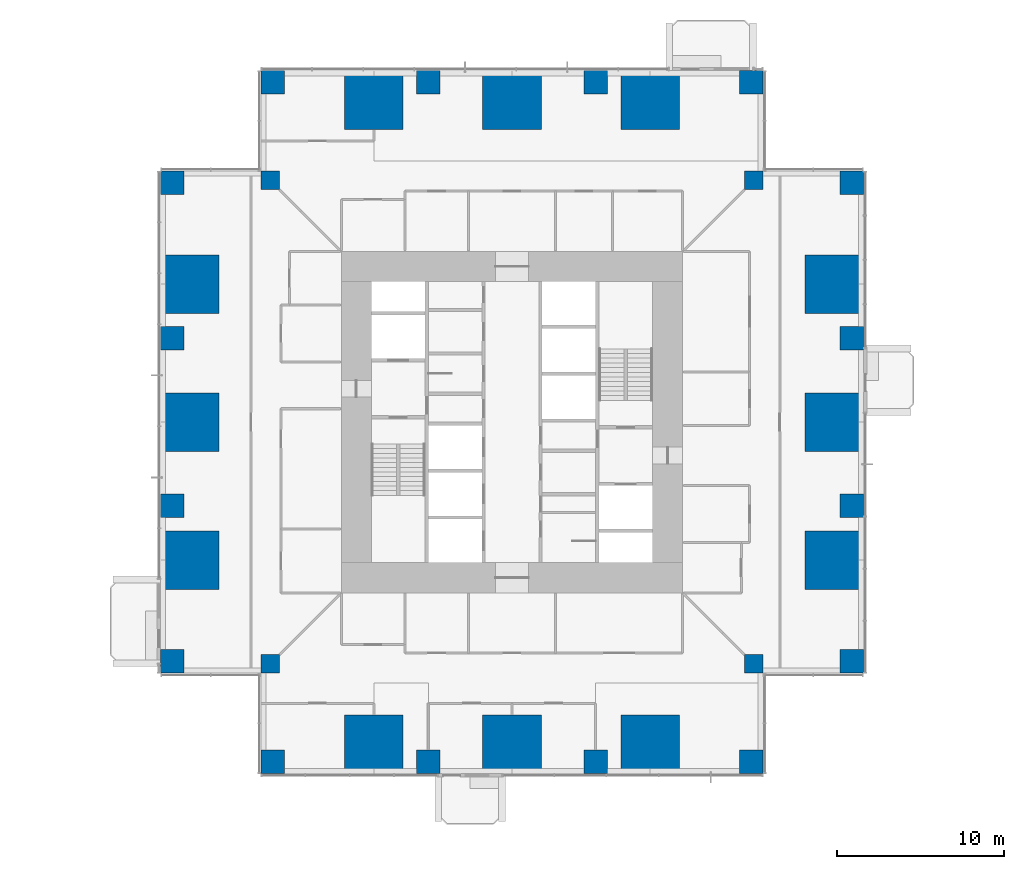
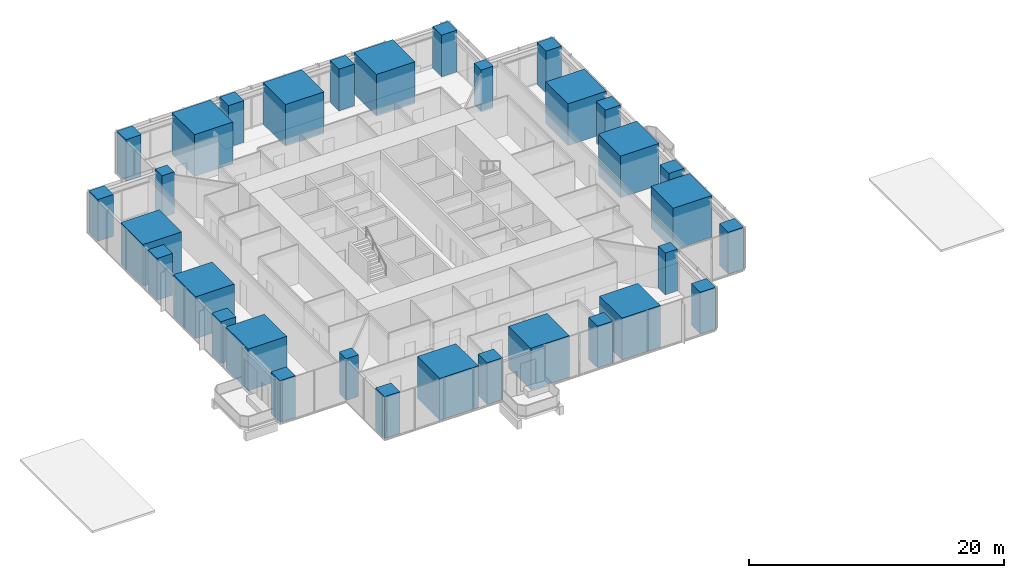
# One storey, part 1 of 16: 32 columns.
"""IFC4 building model written with IfcOpenShell, lengths in metres."""

from ifc_helpers import new_model, si_unit, direction, frame, origin, origin_2d, place, context, subcontext, project, spatial, rectangle, extrude, material, material_profile, profile_set, type_object, element, save


model = new_model("IFC4")

# Units and contexts
model_context = context("Model", 3, precision=1e-05, world=origin(), true_north=direction((0.0, 1.0)))
body_context = subcontext(model_context, "Body", "Model", "MODEL_VIEW")
ifc_project = project(units=[si_unit("LENGTHUNIT", "METRE"), si_unit("AREAUNIT", "SQUARE_METRE"), si_unit("VOLUMEUNIT", "CUBIC_METRE"), si_unit("PLANEANGLEUNIT", "RADIAN"), si_unit("MASSUNIT", "GRAM", prefix="KILO")], contexts=[model_context])

# Site, building, storey
site_placement = place(None, origin())
site = spatial("IfcSite", under=ifc_project, at=site_placement, CompositionType="ELEMENT")
building_placement = place(site_placement, origin())
building = spatial("IfcBuilding", under=site, at=building_placement, Name="Svetlomir Tower", CompositionType="ELEMENT")
storey_placement = place(building_placement, frame((0.0, 0.0, 22.5)))
storey = spatial("IfcBuildingStorey", under=building, at=storey_placement, Name="L04", CompositionType="ELEMENT", Elevation=22.5)

# Columns
ifc_material_1 = material(Name="Concrete C60/75", Category="concrete")
ifc_material_profile_1 = material_profile(ifc_material_1, rectangle(XDim=1.10009765625, YDim=1.10009765625, at=origin_2d()), Name="RC 1100x1100")
ifc_profile_set_1 = profile_set([ifc_material_profile_1], Name="Concrete C60/75")
column_type_1 = type_object("IfcColumnType", Name="COLUMN RC 1100x1100", PredefinedType="COLUMN", material=ifc_profile_set_1)
for number, where, z_axis, x_axis, name in (
    (1, (6.550048828125, 6.550048828125, 0.0), (0.0, 0.0, 1.0), (1.0, 0.0, 0.0), "Column 6/6 L04"),
    (2, (35.449951171875, 6.550048828125, 0.0), (0.0, 0.0, 1.0), (1.0, 0.0, 0.0), "Column 36/6 L04"),
    (3, (6.550048828125, 35.449951171875, 0.0), (0.0, 0.0, 1.0), (1.0, 0.0, 0.0), "Column 6/36 L04"),
    (4, (35.449951171875, 35.449951171875, 0.0), (0.0, 0.0, 1.0), (1.0, 0.0, 0.0), "Column 36/36 L04"),
):
    element("IfcColumn", number, at=place(storey_placement, frame(where, z_axis=z_axis, x_axis=x_axis)), inside=storey, type_object=column_type_1, Name=name, PredefinedType="COLUMN", context=body_context, shape_type="SweptSolid", body=[
        extrude(rectangle(XDim=1.10009765625, YDim=1.10009765625, at=origin_2d()), origin(), (0.0, 0.0, 1.0), 4.0),
    ])
ifc_material_2 = material(Name="Concrete C60/75", Category="concrete")
ifc_material_profile_2 = material_profile(ifc_material_2, rectangle(XDim=1.39990234375, YDim=1.39990234375, at=origin_2d()), Name="RC 1400x1400")
ifc_profile_set_2 = profile_set([ifc_material_profile_2], Name="Concrete C60/75")
column_type_2 = type_object("IfcColumnType", Name="COLUMN RC 1400x1400", PredefinedType="COLUMN", material=ifc_profile_set_2)
for number, where, z_axis, x_axis, name in (
    (5, (6.699951171875, 0.699951171875, 0.0), (0.0, 0.0, 1.0), (1.0, 0.0, 0.0), "Column 6/0 L04"),
    (6, (16.0, 0.699951171875, 0.0), (0.0, 0.0, 1.0), (1.0, 0.0, 0.0), "Column 16/0 L04"),
    (7, (26.0, 0.699951171875, 0.0), (0.0, 0.0, 1.0), (1.0, 0.0, 0.0), "Column 26/0 L04"),
    (8, (35.300048828125, 0.699951171875, 0.0), (0.0, 0.0, 1.0), (1.0, 0.0, 0.0), "Column 36/0 L04"),
    (9, (0.699951171875, 6.699951171875, 0.0), (0.0, 0.0, 1.0), (1.0, 0.0, 0.0), "Column 0/6 L04"),
    (10, (41.300048828125, 6.699951171875, 0.0), (0.0, 0.0, 1.0), (1.0, 0.0, 0.0), "Column 42/6 L04"),
    (11, (0.699951171875, 16.0, 0.0), (0.0, 0.0, 1.0), (1.0, 0.0, 0.0), "Column 0/16 L04"),
    (12, (41.300048828125, 16.0, 0.0), (0.0, 0.0, 1.0), (1.0, 0.0, 0.0), "Column 42/16 L04"),
    (13, (0.699951171875, 26.0, 0.0), (0.0, 0.0, 1.0), (1.0, 0.0, 0.0), "Column 0/26 L04"),
    (14, (41.300048828125, 26.0, 0.0), (0.0, 0.0, 1.0), (1.0, 0.0, 0.0), "Column 42/26 L04"),
    (15, (0.699951171875, 35.300048828125, 0.0), (0.0, 0.0, 1.0), (1.0, 0.0, 0.0), "Column 0/36 L04"),
    (16, (41.300048828125, 35.300048828125, 0.0), (0.0, 0.0, 1.0), (1.0, 0.0, 0.0), "Column 42/36 L04"),
    (17, (6.699951171875, 41.300048828125, 0.0), (0.0, 0.0, 1.0), (1.0, 0.0, 0.0), "Column 6/42 L04"),
    (18, (16.0, 41.300048828125, 0.0), (0.0, 0.0, 1.0), (1.0, 0.0, 0.0), "Column 16/42 L04"),
    (19, (26.0, 41.300048828125, 0.0), (0.0, 0.0, 1.0), (1.0, 0.0, 0.0), "Column 26/42 L04"),
    (20, (35.300048828125, 41.300048828125, 0.0), (0.0, 0.0, 1.0), (1.0, 0.0, 0.0), "Column 36/42 L04"),
):
    element("IfcColumn", number, at=place(storey_placement, frame(where, z_axis=z_axis, x_axis=x_axis)), inside=storey, type_object=column_type_2, Name=name, PredefinedType="COLUMN", context=body_context, shape_type="SweptSolid", body=[
        extrude(rectangle(XDim=1.39990234375, YDim=1.39990234375, at=origin_2d()), origin(), (0.0, 0.0, 1.0), 4.0),
    ])
ifc_material_3 = material(Name="Concrete C60/75", Category="concrete")
ifc_material_profile_3 = material_profile(ifc_material_3, rectangle(XDim=3.5, YDim=3.5, at=origin_2d()), Name="RC 3500x3500")
ifc_profile_set_3 = profile_set([ifc_material_profile_3], Name="Concrete C60/75")
column_type_3 = type_object("IfcColumnType", Name="COLUMN RC 3500x3500", PredefinedType="COLUMN", material=ifc_profile_set_3)
for number, where, z_axis, x_axis, name in (
    (21, (12.75, 1.75, 0.0), (0.0, 0.0, 1.0), (1.0, 0.0, 0.0), "Column 11/0 L04"),
    (22, (21.0, 1.75, 0.0), (0.0, 0.0, 1.0), (1.0, 0.0, 0.0), "Column 21/0 L04"),
    (23, (29.25, 1.75, 0.0), (0.0, 0.0, 1.0), (1.0, 0.0, 0.0), "Column 31/0 L04"),
    (24, (1.75, 12.75, 0.0), (0.0, 0.0, 1.0), (1.0, 0.0, 0.0), "Column 0/11 L04"),
    (25, (40.25, 12.75, 0.0), (0.0, 0.0, 1.0), (1.0, 0.0, 0.0), "Column 42/11 L04"),
    (26, (1.75, 21.0, 0.0), (0.0, 0.0, 1.0), (1.0, 0.0, 0.0), "Column 0/21 L04"),
    (27, (40.25, 21.0, 0.0), (0.0, 0.0, 1.0), (1.0, 0.0, 0.0), "Column 42/21 L04"),
    (28, (1.75, 29.25, 0.0), (0.0, 0.0, 1.0), (1.0, 0.0, 0.0), "Column 0/31 L04"),
    (29, (40.25, 29.25, 0.0), (0.0, 0.0, 1.0), (1.0, 0.0, 0.0), "Column 42/31 L04"),
    (30, (12.75, 40.25, 0.0), (0.0, 0.0, 1.0), (1.0, 0.0, 0.0), "Column 11/42 L04"),
    (31, (21.0, 40.25, 0.0), (0.0, 0.0, 1.0), (1.0, 0.0, 0.0), "Column 21/42 L04"),
    (32, (29.25, 40.25, 0.0), (0.0, 0.0, 1.0), (1.0, 0.0, 0.0), "Column 31/42 L04"),
):
    element("IfcColumn", number, at=place(storey_placement, frame(where, z_axis=z_axis, x_axis=x_axis)), inside=storey, type_object=column_type_3, Name=name, PredefinedType="COLUMN", context=body_context, shape_type="SweptSolid", body=[
        extrude(rectangle(XDim=3.5, YDim=3.5, at=origin_2d()), origin(), (0.0, 0.0, 1.0), 4.0),
    ])

save(model, "model.ifc")
